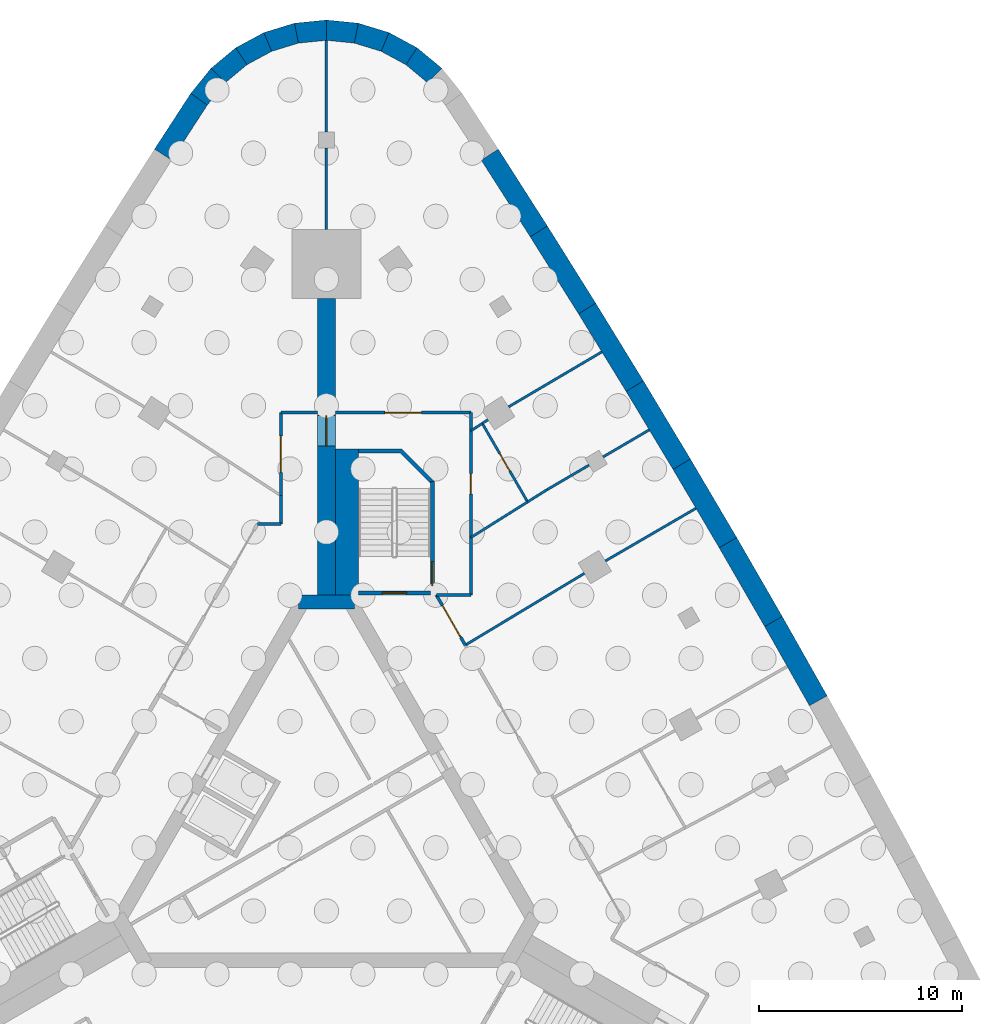
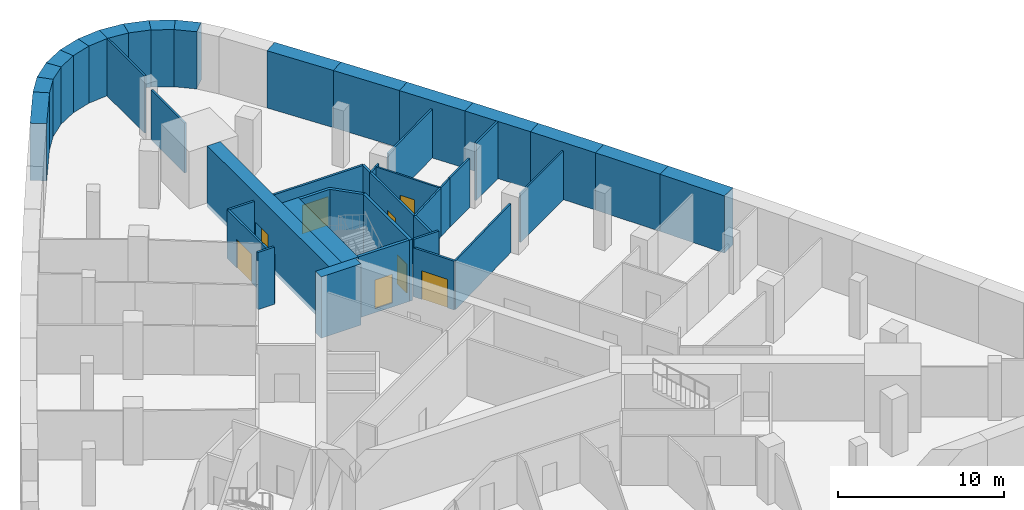
# One storey, part 6 of 9: 45 walls, 8 doors, 8 openings.
"""IFC4 building model written with IfcOpenShell, lengths in metres."""

from ifc_helpers import new_model, si_unit, direction, frame, frame_2d, origin, place, context, subcontext, project, spatial, polyline, rectangle, outline, extrude, material, layer, layer_set, type_object, element, fill, save


model = new_model("IFC4")

# Units and contexts
model_context = context("Model", 3, precision=1e-05, world=origin(), true_north=direction((0.0, 1.0)))
body_context = subcontext(model_context, "Body", "Model", "MODEL_VIEW")
ifc_project = project(units=[si_unit("LENGTHUNIT", "METRE"), si_unit("AREAUNIT", "SQUARE_METRE"), si_unit("VOLUMEUNIT", "CUBIC_METRE"), si_unit("PLANEANGLEUNIT", "RADIAN"), si_unit("MASSUNIT", "GRAM", prefix="KILO")], contexts=[model_context])

# Site, building, storey
site_placement = place(None, origin())
site = spatial("IfcSite", under=ifc_project, at=site_placement, CompositionType="ELEMENT")
building_placement = place(site_placement, origin())
building = spatial("IfcBuilding", under=site, at=building_placement, Name="Noor Cloister Tower", CompositionType="ELEMENT")
storey_placement = place(building_placement, frame((0.0, 0.0, -9.0)))
storey = spatial("IfcBuildingStorey", under=building, at=storey_placement, Name="B2", CompositionType="ELEMENT", Elevation=-9.0)

# Wall, opening, door
ifc_material_1 = material(Name="Concrete C80/95", Category="concrete")
ifc_layer_1 = layer(ifc_material_1, 0.89990234375)
ifc_layer_set_1 = layer_set([ifc_layer_1], Name="Buttress wall 900 C80/95")
wall_type_1 = type_object("IfcWallType", Name="Buttress wall 900 C80/95", PredefinedType="SHEAR", material=ifc_layer_set_1)
wall_1_placement = place(storey_placement, frame((0.0, 11.456298828125, -0.300048828125), z_axis=(0.0, 0.0, 1.0), x_axis=(0.0, 1.0, 0.0)))
wall_1 = element("IfcWall", 1, at=wall_1_placement, inside=storey, type_object=wall_type_1, Name="Buttress wall N B2", PredefinedType="SHEAR", context=body_context, shape_type="SweptSolid", body=[
    extrude(rectangle(XDim=14.6328125, YDim=0.89990234375, at=frame_2d((7.31640625, 0.0))), origin(), (0.0, 0.0, 1.0), 4.5),
])
opening_1_placement = place(wall_1_placement, frame((7.35009765625, 0.0, 0.300048828125)))
opening_1 = element("IfcOpeningElement", 2, at=opening_1_placement, cuts=wall_1, Name="Opening B2-028", PredefinedType="OPENING", context=body_context, shape_type="SweptSolid", body=[
    extrude(rectangle(XDim=1.5, YDim=2.10009765625, at=frame_2d((0.75, 1.050048828125))), frame((0.0, 0.4599609375, 0.0), z_axis=(0.0, -1.0, 0.0), x_axis=(1.0, 0.0, 0.0)), (0.0, 0.0, 1.0), 0.919921875),
])
ifc_material_2 = material(Name="Steel fire door", Category="steel")
door_type_1 = type_object("IfcDoorType", Name="Smoke barrier door FD60 1500", OperationType="DOUBLE_DOOR_SINGLE_SWING", PredefinedType="DOOR", material=ifc_material_2)
door_1_placement = place(opening_1_placement, origin())
door_1 = element("IfcDoor", 3, at=door_1_placement, inside=storey, type_object=door_type_1, Name="Door B2-028", OperationType="DOUBLE_DOOR_SINGLE_SWING", OverallHeight=2.10009765625, OverallWidth=1.5, PredefinedType="DOOR", context=body_context, shape_type="SweptSolid", body=[
    extrude(rectangle(XDim=1.5, YDim=2.10009765625, at=frame_2d((0.75, 1.050048828125))), frame((0.0, 0.02490234375, 0.0), z_axis=(0.0, -1.0, 0.0), x_axis=(1.0, 0.0, 0.0)), (0.0, 0.0, 1.0), 0.050048828125),
])
fill(opening_1, door_1)

# Wall
ifc_material_3 = material(Name="Concrete C80/95", Category="concrete")
ifc_layer_2 = layer(ifc_material_3, 0.699951171875)
ifc_layer_set_2 = layer_set([ifc_layer_2], Name="Core wall 700 C80/95")
wall_type_2 = type_object("IfcWallType", Name="Core wall 700 C80/95", PredefinedType="SHEAR", material=ifc_layer_set_2)
wall_2_placement = place(storey_placement, frame((1.3857421875, 11.1064453125, -0.300048828125), z_axis=(0.0, 0.0, 1.0), x_axis=(-1.0, 0.0, 0.0)))
element("IfcWall", 4, at=wall_2_placement, inside=storey, type_object=wall_type_2, Name="Core wall B2 4", PredefinedType="SHEAR", context=body_context, shape_type="SweptSolid", body=[
    extrude(rectangle(XDim=2.771484375, YDim=0.699951171875, at=frame_2d((1.3857421875, 0.0))), origin(), (0.0, 0.0, 1.0), 4.5),
])

# Wall, opening, door
ifc_material_4 = material(Name="Plasterboard on steel studs", Category="steel")
ifc_layer_3 = layer(ifc_material_4, 0.14990234375)
ifc_layer_set_3 = layer_set([ifc_layer_3], Name="Corridor wall 150")
wall_type_3 = type_object("IfcWallType", Name="Corridor wall 150", PredefinedType="PARTITIONING", material=ifc_layer_set_3)
wall_3_placement = place(storey_placement, frame((6.85498046875, 8.98193359375, 0.0), z_axis=(0.0, 0.0, 1.0), x_axis=(-0.500176439337, 0.865923512519, 0.0)))
wall_3 = element("IfcWall", 5, at=wall_3_placement, inside=storey, type_object=wall_type_3, Name="Partition", PredefinedType="PARTITIONING", context=body_context, shape_type="SweptSolid", body=[
    extrude(rectangle(XDim=2.85498046875, YDim=0.14990234375, at=frame_2d((1.427490234375, 0.0))), origin(), (0.0, 0.0, 1.0), 3.587890625),
])
opening_2_placement = place(wall_3_placement, frame((0.449951171875, 0.0, 0.0)))
opening_2 = element("IfcOpeningElement", 6, at=opening_2_placement, cuts=wall_3, Name="Opening B2-019", PredefinedType="OPENING", context=body_context, shape_type="SweptSolid", body=[
    extrude(rectangle(XDim=1.800048828125, YDim=2.10009765625, at=frame_2d((0.89990234375, 1.050048828125))), frame((0.0, 0.0849609375, 0.0), z_axis=(0.0, -1.0, 0.0), x_axis=(1.0, 0.0, 0.0)), (0.0, 0.0, 1.0), 0.169921875),
])
ifc_material_5 = material(Name="Timber door leaf", Category="wood")
door_type_2 = type_object("IfcDoorType", Name="Double leaf door 1800", OperationType="DOUBLE_DOOR_SINGLE_SWING", PredefinedType="DOOR", material=ifc_material_5)
door_2_placement = place(opening_2_placement, origin())
door_2 = element("IfcDoor", 7, at=door_2_placement, inside=storey, type_object=door_type_2, Name="Door B2-019", OperationType="DOUBLE_DOOR_SINGLE_SWING", OverallHeight=2.10009765625, OverallWidth=1.800048828125, PredefinedType="DOOR", context=body_context, shape_type="SweptSolid", body=[
    extrude(rectangle(XDim=1.800048828125, YDim=2.10009765625, at=frame_2d((0.89990234375, 1.050048828125))), frame((0.0, 0.02490234375, 0.0), z_axis=(0.0, -1.0, 0.0), x_axis=(1.0, 0.0, 0.0)), (0.0, 0.0, 1.0), 0.050048828125),
])
fill(opening_2, door_2)

# Walls
wall_4_placement = place(storey_placement, frame((5.427001953125, 11.4560546875, 0.0), z_axis=(0.0, 0.0, 1.0), x_axis=(1.0, 0.0, 0.0)))
element("IfcWall", 8, at=wall_4_placement, inside=storey, type_object=wall_type_3, Name="Partition", PredefinedType="PARTITIONING", context=body_context, shape_type="SweptSolid", body=[
    extrude(rectangle(XDim=1.7080078125, YDim=0.14990234375, at=frame_2d((0.85400390625, 0.0))), origin(), (0.0, 0.0, 1.0), 4.199951171875),
])
wall_5_placement = place(storey_placement, frame((7.135986328125, 11.45703125, 0.0), z_axis=(0.0, 0.0, 1.0), x_axis=(0.0, 1.0, 0.0)))
element("IfcWall", 9, at=wall_5_placement, inside=storey, type_object=wall_type_3, Name="Partition", PredefinedType="PARTITIONING", context=body_context, shape_type="SweptSolid", body=[
    extrude(rectangle(XDim=2.8388671875, YDim=0.14990234375, at=frame_2d((1.41943359375, 0.0))), origin(), (0.0, 0.0, 1.0), 3.587890625),
])

# Wall, opening, door
wall_6_placement = place(storey_placement, frame((7.135986328125, 14.297119140625, 0.0), z_axis=(0.0, 0.0, 1.0), x_axis=(0.0, 1.0, 0.0)))
wall_6 = element("IfcWall", 10, at=wall_6_placement, inside=storey, type_object=wall_type_3, Name="Partition", PredefinedType="PARTITIONING", context=body_context, shape_type="SweptSolid", body=[
    extrude(rectangle(XDim=5.265869140625, YDim=0.14990234375, at=frame_2d((2.6328125, 0.0))), origin(), (0.0, 0.0, 1.0), 3.587890625),
])
opening_3_placement = place(wall_6_placement, frame((2.14990234375, 0.0, 0.0)))
opening_3 = element("IfcOpeningElement", 11, at=opening_3_placement, cuts=wall_6, Name="Opening B2-021", PredefinedType="OPENING", context=body_context, shape_type="SweptSolid", body=[
    extrude(rectangle(XDim=1.0, YDim=2.10009765625, at=frame_2d((0.5, 1.050048828125))), frame((0.0, 0.0849609375, 0.0), z_axis=(0.0, -1.0, 0.0), x_axis=(1.0, 0.0, 0.0)), (0.0, 0.0, 1.0), 0.169921875),
])
ifc_material_6 = material(Name="Timber door leaf", Category="wood")
door_type_3 = type_object("IfcDoorType", Name="Clinic room door 1000", OperationType="SINGLE_SWING_LEFT", PredefinedType="DOOR", material=ifc_material_6)
door_3_placement = place(opening_3_placement, origin())
door_3 = element("IfcDoor", 12, at=door_3_placement, inside=storey, type_object=door_type_3, Name="Door B2-021", OperationType="SINGLE_SWING_LEFT", OverallHeight=2.10009765625, OverallWidth=1.0, PredefinedType="DOOR", context=body_context, shape_type="SweptSolid", body=[
    extrude(rectangle(XDim=1.0, YDim=2.10009765625, at=frame_2d((0.5, 1.050048828125))), frame((0.0, 0.02490234375, 0.0), z_axis=(0.0, -1.0, 0.0), x_axis=(1.0, 0.0, 0.0)), (0.0, 0.0, 1.0), 0.050048828125),
])
fill(opening_3, door_3)

# Wall
wall_7_placement = place(storey_placement, frame((7.135986328125, 19.56298828125, 0.0), z_axis=(0.0, 0.0, 1.0), x_axis=(0.0, 1.0, 0.0)))
element("IfcWall", 13, at=wall_7_placement, inside=storey, type_object=wall_type_3, Name="Partition", PredefinedType="PARTITIONING", context=body_context, shape_type="SweptSolid", body=[
    extrude(rectangle(XDim=0.89306640625, YDim=0.14990234375, at=frame_2d((0.446533203125, 0.0))), origin(), (0.0, 0.0, 1.0), 3.587890625),
])

# Wall, opening, door
wall_8_placement = place(storey_placement, frame((7.135986328125, 20.4560546875, 0.0), z_axis=(0.0, 0.0, 1.0), x_axis=(-1.0, 0.0, 0.0)))
wall_8 = element("IfcWall", 14, at=wall_8_placement, inside=storey, type_object=wall_type_3, Name="Partition", PredefinedType="PARTITIONING", context=body_context, shape_type="SweptSolid", body=[
    extrude(rectangle(XDim=6.68603515625, YDim=0.14990234375, at=frame_2d((3.343017578125, 0.0))), origin(), (0.0, 0.0, 1.0), 3.587890625),
])
opening_4_placement = place(wall_8_placement, frame((2.449951171875, 0.0, 0.0)))
opening_4 = element("IfcOpeningElement", 15, at=opening_4_placement, cuts=wall_8, Name="Opening B2-025", PredefinedType="OPENING", context=body_context, shape_type="SweptSolid", body=[
    extrude(rectangle(XDim=1.800048828125, YDim=2.10009765625, at=frame_2d((0.89990234375, 1.050048828125))), frame((0.0, 0.0849609375, 0.0), z_axis=(0.0, -1.0, 0.0), x_axis=(1.0, 0.0, 0.0)), (0.0, 0.0, 1.0), 0.169921875),
])
door_4_placement = place(opening_4_placement, origin())
door_4 = element("IfcDoor", 16, at=door_4_placement, inside=storey, type_object=door_type_2, Name="Door B2-025", OperationType="DOUBLE_DOOR_SINGLE_SWING", OverallHeight=2.10009765625, OverallWidth=1.800048828125, PredefinedType="DOOR", context=body_context, shape_type="SweptSolid", body=[
    extrude(rectangle(XDim=1.800048828125, YDim=2.10009765625, at=frame_2d((0.89990234375, 1.050048828125))), frame((0.0, 0.02490234375, 0.0), z_axis=(0.0, -1.0, 0.0), x_axis=(1.0, 0.0, 0.0)), (0.0, 0.0, 1.0), 0.050048828125),
])
fill(opening_4, door_4)

# Walls
wall_9_placement = place(storey_placement, frame((-2.25, 16.366943359375, 0.0), z_axis=(0.0, 0.0, 1.0), x_axis=(0.0, -1.0, 0.0)))
element("IfcWall", 17, at=wall_9_placement, inside=storey, type_object=wall_type_3, Name="Partition", PredefinedType="PARTITIONING", context=body_context, shape_type="SweptSolid", body=[
    extrude(rectangle(XDim=1.410888671875, YDim=0.14990234375, at=frame_2d((0.70556640625, 0.0))), origin(), (0.0, 0.0, 1.0), 3.587890625),
])
wall_10_placement = place(storey_placement, frame((-2.25, 14.9560546875, 0.0), z_axis=(0.0, 0.0, 1.0), x_axis=(-1.0, 0.0, 0.0)))
element("IfcWall", 18, at=wall_10_placement, inside=storey, type_object=wall_type_3, Name="Partition", PredefinedType="PARTITIONING", context=body_context, shape_type="SweptSolid", body=[
    extrude(rectangle(XDim=1.156005859375, YDim=0.14990234375, at=frame_2d((0.578125, 0.0))), origin(), (0.0, 0.0, 1.0), 4.199951171875),
])
wall_11_placement = place(storey_placement, frame((-0.449951171875, 20.4560546875, 0.0), z_axis=(0.0, 0.0, 1.0), x_axis=(-1.0, 0.0, 0.0)))
element("IfcWall", 19, at=wall_11_placement, inside=storey, type_object=wall_type_3, Name="Partition", PredefinedType="PARTITIONING", context=body_context, shape_type="SweptSolid", body=[
    extrude(rectangle(XDim=1.800048828125, YDim=0.14990234375, at=frame_2d((0.89990234375, 0.0))), origin(), (0.0, 0.0, 1.0), 3.587890625),
])

# Wall, opening, door
wall_12_placement = place(storey_placement, frame((-2.25, 20.4560546875, 0.0), z_axis=(0.0, 0.0, 1.0), x_axis=(0.0, -1.0, 0.0)))
wall_12 = element("IfcWall", 20, at=wall_12_placement, inside=storey, type_object=wall_type_3, Name="Partition", PredefinedType="PARTITIONING", context=body_context, shape_type="SweptSolid", body=[
    extrude(rectangle(XDim=4.089111328125, YDim=0.14990234375, at=frame_2d((2.04443359375, 0.0))), origin(), (0.0, 0.0, 1.0), 3.587890625),
])
opening_5_placement = place(wall_12_placement, frame((1.14990234375, 0.0, 0.0)))
opening_5 = element("IfcOpeningElement", 21, at=opening_5_placement, cuts=wall_12, Name="Opening B2-024", PredefinedType="OPENING", context=body_context, shape_type="SweptSolid", body=[
    extrude(rectangle(XDim=1.800048828125, YDim=2.10009765625, at=frame_2d((0.89990234375, 1.050048828125))), frame((0.0, 0.0849609375, 0.0), z_axis=(0.0, -1.0, 0.0), x_axis=(1.0, 0.0, 0.0)), (0.0, 0.0, 1.0), 0.169921875),
])
door_5_placement = place(opening_5_placement, origin())
door_5 = element("IfcDoor", 22, at=door_5_placement, inside=storey, type_object=door_type_2, Name="Door B2-024", OperationType="DOUBLE_DOOR_SINGLE_SWING", OverallHeight=2.10009765625, OverallWidth=1.800048828125, PredefinedType="DOOR", context=body_context, shape_type="SweptSolid", body=[
    extrude(rectangle(XDim=1.800048828125, YDim=2.10009765625, at=frame_2d((0.89990234375, 1.050048828125))), frame((0.0, 0.02490234375, 0.0), z_axis=(0.0, -1.0, 0.0), x_axis=(1.0, 0.0, 0.0)), (0.0, 0.0, 1.0), 0.050048828125),
])
fill(opening_5, door_5)

# Walls
ifc_material_7 = material(Name="Concrete C50/60", Category="concrete")
ifc_layer_4 = layer(ifc_material_7, 1.0)
ifc_layer_set_4 = layer_set([ifc_layer_4], Name="Diaphragm wall 1000")
wall_type_4 = type_object("IfcWallType", Name="Diaphragm wall 1000", PredefinedType="SOLIDWALL", material=ifc_layer_set_4)
wall_13_placement = place(storey_placement, origin())
element("IfcWall", 23, at=wall_13_placement, inside=storey, type_object=wall_type_4, Name="Basement wall 02", PredefinedType="SOLIDWALL", context=body_context, shape_type="SweptSolid", body=[
    extrude(outline(polyline([(5.699462890625, 37.45751953125), (4.482177734375, 38.469970703125), (3.919189453125, 37.6376953125), (4.983642578125, 36.752197265625), (5.699462890625, 37.45751953125)])), origin(), (0.0, 0.0, 1.0), 4.199951171875),
])
wall_14_placement = place(storey_placement, origin())
element("IfcWall", 24, at=wall_14_placement, inside=storey, type_object=wall_type_4, Name="Basement wall 03", PredefinedType="SOLIDWALL", context=body_context, shape_type="SweptSolid", body=[
    extrude(outline(polyline([(4.482177734375, 38.469970703125), (3.08935546875, 39.222900390625), (2.701416015625, 38.2958984375), (3.919189453125, 37.6376953125), (4.482177734375, 38.469970703125)])), origin(), (0.0, 0.0, 1.0), 4.199951171875),
])
wall_15_placement = place(storey_placement, origin())
element("IfcWall", 25, at=wall_15_placement, inside=storey, type_object=wall_type_4, Name="Basement wall 04", PredefinedType="SOLIDWALL", context=body_context, shape_type="SweptSolid", body=[
    extrude(outline(polyline([(3.08935546875, 39.222900390625), (1.57568359375, 39.686767578125), (1.377685546875, 38.70166015625), (2.701416015625, 38.2958984375), (3.08935546875, 39.222900390625)])), origin(), (0.0, 0.0, 1.0), 4.199951171875),
])
wall_16_placement = place(storey_placement, origin())
element("IfcWall", 26, at=wall_16_placement, inside=storey, type_object=wall_type_4, Name="Basement wall 05", PredefinedType="SOLIDWALL", context=body_context, shape_type="SweptSolid", body=[
    extrude(outline(polyline([(1.57568359375, 39.686767578125), (0.0, 39.843505859375), (0.0, 38.838623046875), (1.377685546875, 38.70166015625), (1.57568359375, 39.686767578125)])), origin(), (0.0, 0.0, 1.0), 4.199951171875),
])
wall_17_placement = place(storey_placement, origin())
element("IfcWall", 27, at=wall_17_placement, inside=storey, type_object=wall_type_4, Name="Basement wall 06", PredefinedType="SOLIDWALL", context=body_context, shape_type="SweptSolid", body=[
    extrude(outline(polyline([(0.0, 39.843505859375), (-1.57568359375, 39.686767578125), (-1.377685546875, 38.70166015625), (0.0, 38.838623046875), (0.0, 39.843505859375)])), origin(), (0.0, 0.0, 1.0), 4.199951171875),
])
wall_18_placement = place(storey_placement, origin())
element("IfcWall", 28, at=wall_18_placement, inside=storey, type_object=wall_type_4, Name="Basement wall 07", PredefinedType="SOLIDWALL", context=body_context, shape_type="SweptSolid", body=[
    extrude(outline(polyline([(-1.57568359375, 39.686767578125), (-3.08935546875, 39.222900390625), (-2.701416015625, 38.2958984375), (-1.377685546875, 38.70166015625), (-1.57568359375, 39.686767578125)])), origin(), (0.0, 0.0, 1.0), 4.199951171875),
])
wall_19_placement = place(storey_placement, origin())
element("IfcWall", 29, at=wall_19_placement, inside=storey, type_object=wall_type_4, Name="Basement wall 08", PredefinedType="SOLIDWALL", context=body_context, shape_type="SweptSolid", body=[
    extrude(outline(polyline([(-3.08935546875, 39.222900390625), (-4.482177734375, 38.469970703125), (-3.919189453125, 37.6376953125), (-2.701416015625, 38.2958984375), (-3.08935546875, 39.222900390625)])), origin(), (0.0, 0.0, 1.0), 4.199951171875),
])
wall_20_placement = place(storey_placement, origin())
element("IfcWall", 30, at=wall_20_placement, inside=storey, type_object=wall_type_4, Name="Basement wall 09", PredefinedType="SOLIDWALL", context=body_context, shape_type="SweptSolid", body=[
    extrude(outline(polyline([(-4.482177734375, 38.469970703125), (-5.699462890625, 37.45751953125), (-4.983642578125, 36.752197265625), (-3.919189453125, 37.6376953125), (-4.482177734375, 38.469970703125)])), origin(), (0.0, 0.0, 1.0), 4.199951171875),
])
wall_21_placement = place(storey_placement, origin())
element("IfcWall", 31, at=wall_21_placement, inside=storey, type_object=wall_type_4, Name="Basement wall 10", PredefinedType="SOLIDWALL", context=body_context, shape_type="SweptSolid", body=[
    extrude(outline(polyline([(-5.699462890625, 37.45751953125), (-6.693603515625, 36.22509765625), (-5.883056640625, 35.63720703125), (-4.983642578125, 36.752197265625), (-5.699462890625, 37.45751953125)])), origin(), (0.0, 0.0, 1.0), 4.199951171875),
])
wall_22_placement = place(storey_placement, origin())
element("IfcWall", 32, at=wall_22_placement, inside=storey, type_object=wall_type_4, Name="Basement wall 11", PredefinedType="SOLIDWALL", context=body_context, shape_type="SweptSolid", body=[
    extrude(outline(polyline([(-6.693603515625, 36.22509765625), (-8.486083984375, 33.466796875), (-7.6455078125, 32.925048828125), (-5.883056640625, 35.63720703125), (-6.693603515625, 36.22509765625)])), origin(), (0.0, 0.0, 1.0), 4.199951171875),
])
wall_23_placement = place(storey_placement, origin())
element("IfcWall", 33, at=wall_23_placement, inside=storey, type_object=wall_type_4, Name="Basement wall 62", PredefinedType="SOLIDWALL", context=body_context, shape_type="SweptSolid", body=[
    extrude(outline(polyline([(24.72119140625, 6.478759765625), (22.50634765625, 10.39599609375), (21.637939453125, 9.89990234375), (23.848388671875, 5.990478515625), (24.72119140625, 6.478759765625)])), origin(), (0.0, 0.0, 1.0), 4.199951171875),
])
wall_24_placement = place(storey_placement, origin())
element("IfcWall", 34, at=wall_24_placement, inside=storey, type_object=wall_type_4, Name="Basement wall 63", PredefinedType="SOLIDWALL", context=body_context, shape_type="SweptSolid", body=[
    extrude(outline(polyline([(22.50634765625, 10.39599609375), (20.25634765625, 14.29296875), (19.392578125, 13.7890625), (21.637939453125, 9.89990234375), (22.50634765625, 10.39599609375)])), origin(), (0.0, 0.0, 1.0), 4.199951171875),
])
wall_25_placement = place(storey_placement, origin())
element("IfcWall", 35, at=wall_25_placement, inside=storey, type_object=wall_type_4, Name="Basement wall 64", PredefinedType="SOLIDWALL", context=body_context, shape_type="SweptSolid", body=[
    extrude(outline(polyline([(20.25634765625, 14.29296875), (17.971435546875, 18.169677734375), (17.112060546875, 17.658203125), (19.392578125, 13.7890625), (20.25634765625, 14.29296875)])), origin(), (0.0, 0.0, 1.0), 4.199951171875),
])
wall_26_placement = place(storey_placement, origin())
element("IfcWall", 36, at=wall_26_placement, inside=storey, type_object=wall_type_4, Name="Basement wall 65", PredefinedType="SOLIDWALL", context=body_context, shape_type="SweptSolid", body=[
    extrude(outline(polyline([(17.971435546875, 18.169677734375), (15.651611328125, 22.02587890625), (14.797119140625, 21.50634765625), (17.112060546875, 17.658203125), (17.971435546875, 18.169677734375)])), origin(), (0.0, 0.0, 1.0), 4.199951171875),
])
wall_27_placement = place(storey_placement, origin())
element("IfcWall", 37, at=wall_27_placement, inside=storey, type_object=wall_type_4, Name="Basement wall 66", PredefinedType="SOLIDWALL", context=body_context, shape_type="SweptSolid", body=[
    extrude(outline(polyline([(15.651611328125, 22.02587890625), (13.29736328125, 25.86083984375), (12.447509765625, 25.333740234375), (14.797119140625, 21.50634765625), (15.651611328125, 22.02587890625)])), origin(), (0.0, 0.0, 1.0), 4.199951171875),
])
wall_28_placement = place(storey_placement, origin())
element("IfcWall", 38, at=wall_28_placement, inside=storey, type_object=wall_type_4, Name="Basement wall 67", PredefinedType="SOLIDWALL", context=body_context, shape_type="SweptSolid", body=[
    extrude(outline(polyline([(13.29736328125, 25.86083984375), (10.908935546875, 29.674560546875), (10.063720703125, 29.139892578125), (12.447509765625, 25.333740234375), (13.29736328125, 25.86083984375)])), origin(), (0.0, 0.0, 1.0), 4.199951171875),
])
wall_29_placement = place(storey_placement, origin())
element("IfcWall", 39, at=wall_29_placement, inside=storey, type_object=wall_type_4, Name="Basement wall 68", PredefinedType="SOLIDWALL", context=body_context, shape_type="SweptSolid", body=[
    extrude(outline(polyline([(10.908935546875, 29.674560546875), (8.486083984375, 33.466796875), (7.6455078125, 32.925048828125), (10.063720703125, 29.139892578125), (10.908935546875, 29.674560546875)])), origin(), (0.0, 0.0, 1.0), 4.199951171875),
])
ifc_material_8 = material(Name="Plasterboard on steel studs", Category="steel")
ifc_layer_5 = layer(ifc_material_8, 0.1201171875)
ifc_layer_set_5 = layer_set([ifc_layer_5], Name="Partition wall 120")
wall_type_5 = type_object("IfcWallType", Name="Partition wall 120", PredefinedType="PARTITIONING", material=ifc_layer_set_5)
wall_30_placement = place(storey_placement, frame((12.736083984375, 12.52392578125, 0.0), z_axis=(0.0, 0.0, 1.0), x_axis=(-0.856559377083, -0.516048479827, 0.0)))
element("IfcWall", 40, at=wall_30_placement, inside=storey, type_object=wall_type_5, Name="Partition", PredefinedType="PARTITIONING", context=body_context, shape_type="SweptSolid", body=[
    extrude(rectangle(XDim=6.86376953125, YDim=0.1201171875, at=frame_2d((3.431884765625, 0.0))), origin(), (0.0, 0.0, 1.0), 3.587890625),
])
wall_31_placement = place(storey_placement, frame((18.2451171875, 15.736083984375, 0.0), z_axis=(0.0, 0.0, 1.0), x_axis=(-0.864615819332, -0.502433562734, 0.0)))
element("IfcWall", 41, at=wall_31_placement, inside=storey, type_object=wall_type_5, Name="Partition", PredefinedType="PARTITIONING", context=body_context, shape_type="SweptSolid", body=[
    extrude(rectangle(XDim=5.177001953125, YDim=0.1201171875, at=frame_2d((2.58837890625, 0.0))), origin(), (0.0, 0.0, 1.0), 3.5830078125),
])
wall_32_placement = place(storey_placement, frame((9.931884765625, 16.051025390625, 0.0), z_axis=(0.0, 0.0, 1.0), x_axis=(-0.846948891592, -0.531674312932, 0.0)))
element("IfcWall", 42, at=wall_32_placement, inside=storey, type_object=wall_type_5, Name="Partition", PredefinedType="PARTITIONING", context=body_context, shape_type="SweptSolid", body=[
    extrude(rectangle(XDim=3.298828125, YDim=0.1201171875, at=frame_2d((1.6494140625, 0.0))), origin(), (0.0, 0.0, 1.0), 3.587890625),
])
wall_33_placement = place(storey_placement, frame((12.968017578125, 17.868896484375, 0.0), z_axis=(0.0, 0.0, 1.0), x_axis=(-0.863161652457, -0.504927679701, 0.0)))
element("IfcWall", 43, at=wall_33_placement, inside=storey, type_object=wall_type_5, Name="Partition", PredefinedType="PARTITIONING", context=body_context, shape_type="SweptSolid", body=[
    extrude(rectangle(XDim=2.398193359375, YDim=0.1201171875, at=frame_2d((1.19921875, 0.0))), origin(), (0.0, 0.0, 1.0), 3.587890625),
])
wall_34_placement = place(storey_placement, frame((10.89794921875, 16.657958984375, 0.0), z_axis=(0.0, 0.0, 1.0), x_axis=(-0.846984344306, -0.531617833128, 0.0)))
element("IfcWall", 44, at=wall_34_placement, inside=storey, type_object=wall_type_5, Name="Partition", PredefinedType="PARTITIONING", context=body_context, shape_type="SweptSolid", body=[
    extrude(rectangle(XDim=1.137939453125, YDim=0.1201171875, at=frame_2d((0.56884765625, 0.0))), origin(), (0.0, 0.0, 1.0), 3.587890625),
])
wall_35_placement = place(storey_placement, frame((15.93896484375, 19.60791015625, 0.0), z_axis=(0.0, 0.0, 1.0), x_axis=(-0.863057686295, -0.505105365371, 0.0)))
element("IfcWall", 45, at=wall_35_placement, inside=storey, type_object=wall_type_5, Name="Partition", PredefinedType="PARTITIONING", context=body_context, shape_type="SweptSolid", body=[
    extrude(rectangle(XDim=2.642822265625, YDim=0.1201171875, at=frame_2d((1.3212890625, 0.0))), origin(), (0.0, 0.0, 1.0), 4.199951171875),
])

# Wall, opening, door
wall_36_placement = place(storey_placement, frame((9.931884765625, 16.052978515625, 0.0), z_axis=(0.0, 0.0, 1.0), x_axis=(-0.499861052408, 0.866105610353, 0.0)))
wall_36 = element("IfcWall", 46, at=wall_36_placement, inside=storey, type_object=wall_type_5, Name="Partition", PredefinedType="PARTITIONING", context=body_context, shape_type="SweptSolid", body=[
    extrude(rectangle(XDim=4.472900390625, YDim=0.1201171875, at=frame_2d((2.236328125, 0.0))), origin(), (0.0, 0.0, 1.0), 3.587890625),
])
opening_6_placement = place(wall_36_placement, frame((1.75, 0.0, 0.0)))
opening_6 = element("IfcOpeningElement", 47, at=opening_6_placement, cuts=wall_36, Name="Opening B2-023", PredefinedType="OPENING", context=body_context, shape_type="SweptSolid", body=[
    extrude(rectangle(XDim=1.0, YDim=2.10009765625, at=frame_2d((0.5, 1.050048828125))), frame((0.0, 0.070068359375, 0.0), z_axis=(0.0, -1.0, 0.0), x_axis=(1.0, 0.0, 0.0)), (0.0, 0.0, 1.0), 0.14013671875),
])
door_6_placement = place(opening_6_placement, origin())
door_6 = element("IfcDoor", 48, at=door_6_placement, inside=storey, type_object=door_type_3, Name="Door B2-023", OperationType="SINGLE_SWING_LEFT", OverallHeight=2.10009765625, OverallWidth=1.0, PredefinedType="DOOR", context=body_context, shape_type="SweptSolid", body=[
    extrude(rectangle(XDim=1.0, YDim=2.10009765625, at=frame_2d((0.5, 1.050048828125))), frame((0.0, 0.02490234375, 0.0), z_axis=(0.0, -1.0, 0.0), x_axis=(1.0, 0.0, 0.0)), (0.0, 0.0, 1.0), 0.050048828125),
])
fill(opening_6, door_6)

# Walls
wall_37_placement = place(storey_placement, frame((7.697998046875, 19.928955078125, 0.0), z_axis=(0.0, 0.0, 1.0), x_axis=(-0.837123867648, -0.547013372975, 0.0)))
element("IfcWall", 49, at=wall_37_placement, inside=storey, type_object=wall_type_5, Name="Partition", PredefinedType="PARTITIONING", context=body_context, shape_type="SweptSolid", body=[
    extrude(rectangle(XDim=0.6689453125, YDim=0.1201171875, at=frame_2d((0.33447265625, 0.0))), origin(), (0.0, 0.0, 1.0), 3.587890625),
])
wall_38_placement = place(storey_placement, frame((7.972900390625, 20.10888671875, 0.0), z_axis=(0.0, 0.0, 1.0), x_axis=(-0.838160669165, -0.545423406781, 0.0)))
element("IfcWall", 50, at=wall_38_placement, inside=storey, type_object=wall_type_5, Name="Partition", PredefinedType="PARTITIONING", context=body_context, shape_type="SweptSolid", body=[
    extrude(rectangle(XDim=0.335205078125, YDim=0.1201171875, at=frame_2d((0.16748046875, 0.0))), origin(), (0.0, 0.0, 1.0), 3.587890625),
])
wall_39_placement = place(storey_placement, frame((13.59912109375, 23.458984375, 0.0), z_axis=(0.0, 0.0, 1.0), x_axis=(-0.861446814084, -0.507847798563, 0.0)))
element("IfcWall", 51, at=wall_39_placement, inside=storey, type_object=wall_type_5, Name="Partition", PredefinedType="PARTITIONING", context=body_context, shape_type="SweptSolid", body=[
    extrude(rectangle(XDim=5.34814453125, YDim=0.1201171875, at=frame_2d((2.674072265625, 0.0))), origin(), (0.0, 0.0, 1.0), 3.5830078125),
])
wall_40_placement = place(storey_placement, frame((0.0, 29.489013671875, 0.0), z_axis=(0.0, 0.0, 1.0), x_axis=(0.0, 1.0, 0.0)))
element("IfcWall", 52, at=wall_40_placement, inside=storey, type_object=wall_type_5, Name="Partition", PredefinedType="PARTITIONING", context=body_context, shape_type="SweptSolid", body=[
    extrude(rectangle(XDim=4.02392578125, YDim=0.1201171875, at=frame_2d((2.011962890625, 0.0))), origin(), (0.0, 0.0, 1.0), 3.6669921875),
])
wall_41_placement = place(storey_placement, frame((0.0, 34.31298828125, 0.0), z_axis=(0.0, 0.0, 1.0), x_axis=(0.0, 1.0, 0.0)))
element("IfcWall", 53, at=wall_41_placement, inside=storey, type_object=wall_type_5, Name="Partition", PredefinedType="PARTITIONING", context=body_context, shape_type="SweptSolid", body=[
    extrude(rectangle(XDim=4.526123046875, YDim=0.1201171875, at=frame_2d((2.26318359375, 0.0))), origin(), (0.0, 0.0, 1.0), 4.199951171875),
])
ifc_material_9 = material(Name="Concrete C80/95", Category="concrete")
ifc_layer_6 = layer(ifc_material_9, 1.135986328125)
ifc_layer_set_6 = layer_set([ifc_layer_6], Name="Stair enclosure wall 1136 C80/95")
wall_type_6 = type_object("IfcWallType", Name="Stair enclosure wall 1136 C80/95", PredefinedType="SHEAR", material=ifc_layer_set_6)
wall_42_placement = place(storey_placement, frame((1.017822265625, 11.456298828125, -0.300048828125), z_axis=(0.0, 0.0, 1.0), x_axis=(0.0, 1.0, 0.0)))
element("IfcWall", 54, at=wall_42_placement, inside=storey, type_object=wall_type_6, Name="Stair enclosure wall ST1 B2 riser side", PredefinedType="SHEAR", context=body_context, shape_type="SweptSolid", body=[
    extrude(rectangle(XDim=7.2001953125, YDim=1.1357421875, at=frame_2d((3.60009765625, 0.0))), origin(), (0.0, 0.0, 1.0), 4.5),
])

# Wall, opening, door
ifc_material_10 = material(Name="Concrete C80/95", Category="concrete")
ifc_layer_7 = layer(ifc_material_10, 0.199951171875)
ifc_layer_set_7 = layer_set([ifc_layer_7], Name="Stair enclosure wall 200 C80/95")
wall_type_7 = type_object("IfcWallType", Name="Stair enclosure wall 200 C80/95", PredefinedType="SHEAR", material=ifc_layer_set_7)
wall_43_placement = place(storey_placement, frame((5.135498046875, 11.556396484375, -0.300048828125), z_axis=(0.0, 0.0, 1.0), x_axis=(-1.0, 0.0, 0.0)))
wall_43 = element("IfcWall", 55, at=wall_43_placement, inside=storey, type_object=wall_type_7, Name="Stair enclosure wall ST1 B2 near end", PredefinedType="SHEAR", context=body_context, shape_type="SweptSolid", body=[
    extrude(rectangle(XDim=3.5498046875, YDim=0.199951171875, at=frame_2d((1.77490234375, 0.0))), origin(), (0.0, 0.0, 1.0), 4.5),
])
opening_7_placement = place(wall_43_placement, frame((1.175048828125, 0.0, 0.300048828125)))
opening_7 = element("IfcOpeningElement", 56, at=opening_7_placement, cuts=wall_43, Name="Opening B2-ST1L", PredefinedType="OPENING", context=body_context, shape_type="SweptSolid", body=[
    extrude(rectangle(XDim=1.199951171875, YDim=2.10009765625, at=frame_2d((0.60009765625, 1.050048828125))), frame((0.0, 0.10986328125, 0.0), z_axis=(0.0, -1.0, 0.0), x_axis=(1.0, 0.0, 0.0)), (0.0, 0.0, 1.0), 0.219970703125),
])
ifc_material_11 = material(Name="Steel", Category="steel")
door_type_4 = type_object("IfcDoorType", Name="Stair door 1200 x 2100 FD120", OperationType="SINGLE_SWING_LEFT", PredefinedType="DOOR", material=ifc_material_11)
door_7_placement = place(opening_7_placement, origin())
door_7 = element("IfcDoor", 57, at=door_7_placement, inside=storey, type_object=door_type_4, Name="Stair door ST1 B2", OperationType="SINGLE_SWING_RIGHT", OverallHeight=2.10009765625, OverallWidth=1.199951171875, PredefinedType="DOOR", context=body_context, shape_type="SweptSolid", body=[
    extrude(rectangle(XDim=1.199951171875, YDim=2.10009765625, at=frame_2d((0.60009765625, 1.050048828125))), frame((0.0, 0.02490234375, 0.0), z_axis=(0.0, -1.0, 0.0), x_axis=(1.0, 0.0, 0.0)), (0.0, 0.0, 1.0), 0.050048828125),
])
fill(opening_7, door_7)

wall_44_placement = place(storey_placement, frame((5.235595703125, 11.456298828125, -0.300048828125), z_axis=(0.0, 0.0, 1.0), x_axis=(0.0, 1.0, 0.0)))
wall_44 = element("IfcWall", 58, at=wall_44_placement, inside=storey, type_object=wall_type_7, Name="Stair enclosure wall ST1 B2 outer side", PredefinedType="SHEAR", context=body_context, shape_type="SweptSolid", body=[
    extrude(rectangle(XDim=5.60009765625, YDim=0.199951171875, at=frame_2d((2.800048828125, 0.0))), origin(), (0.0, 0.0, 1.0), 4.5),
])
opening_8_placement = place(wall_44_placement, frame((0.449951171875, 0.0, 0.300048828125)))
opening_8 = element("IfcOpeningElement", 59, at=opening_8_placement, cuts=wall_44, Name="Opening B2-ST1C", PredefinedType="OPENING", context=body_context, shape_type="SweptSolid", body=[
    extrude(rectangle(XDim=1.199951171875, YDim=2.10009765625, at=frame_2d((0.60009765625, 1.050048828125))), frame((0.0, 0.10986328125, 0.0), z_axis=(0.0, -1.0, 0.0), x_axis=(1.0, 0.0, 0.0)), (0.0, 0.0, 1.0), 0.219970703125),
])
door_8_placement = place(opening_8_placement, origin())
door_8 = element("IfcDoor", 60, at=door_8_placement, inside=storey, type_object=door_type_4, Name="Stair door ST1 B2", OperationType="SINGLE_SWING_LEFT", OverallHeight=2.10009765625, OverallWidth=1.199951171875, PredefinedType="DOOR", context=body_context, shape_type="SweptSolid", body=[
    extrude(rectangle(XDim=1.199951171875, YDim=2.10009765625, at=frame_2d((0.60009765625, 1.050048828125))), frame((0.0, 0.02490234375, 0.0), z_axis=(0.0, -1.0, 0.0), x_axis=(1.0, 0.0, 0.0)), (0.0, 0.0, 1.0), 0.050048828125),
])
fill(opening_8, door_8)

# Wall
ifc_material_12 = material(Name="Concrete C80/95", Category="concrete")
wall_type_8 = type_object("IfcWallType", Name="Stair far end wall C80/95", PredefinedType="SHEAR", material=ifc_material_12)
wall_45_placement = place(storey_placement, frame((0.0, 0.0, -0.300048828125)))
element("IfcWall", 61, at=wall_45_placement, inside=storey, type_object=wall_type_8, Name="Stair enclosure wall ST1 B2 far end", PredefinedType="SHEAR", context=body_context, shape_type="SweptSolid", body=[
    extrude(outline(polyline([(5.335693359375, 17.056396484375), (3.735595703125, 18.656494140625), (1.585693359375, 18.656494140625), (1.585693359375, 18.456298828125), (3.65283203125, 18.456298828125), (5.135498046875, 16.9736328125), (5.135498046875, 17.056396484375), (5.135498046875, 17.056396484375), (5.135498046875, 17.056396484375), (5.135498046875, 17.056396484375), (5.135498046875, 17.056396484375), (5.135498046875, 17.056396484375), (5.135498046875, 17.056396484375), (5.135498046875, 17.056396484375), (5.135498046875, 17.056396484375), (5.135498046875, 17.056396484375), (5.135498046875, 17.056396484375), (5.135498046875, 17.056396484375), (5.135498046875, 17.056396484375), (5.135498046875, 17.056396484375), (5.135498046875, 17.056396484375), (5.135498046875, 17.056396484375), (5.135498046875, 17.056396484375), (5.335693359375, 17.056396484375)])), origin(), (0.0, 0.0, 1.0), 4.5),
])

save(model, "model.ifc")
